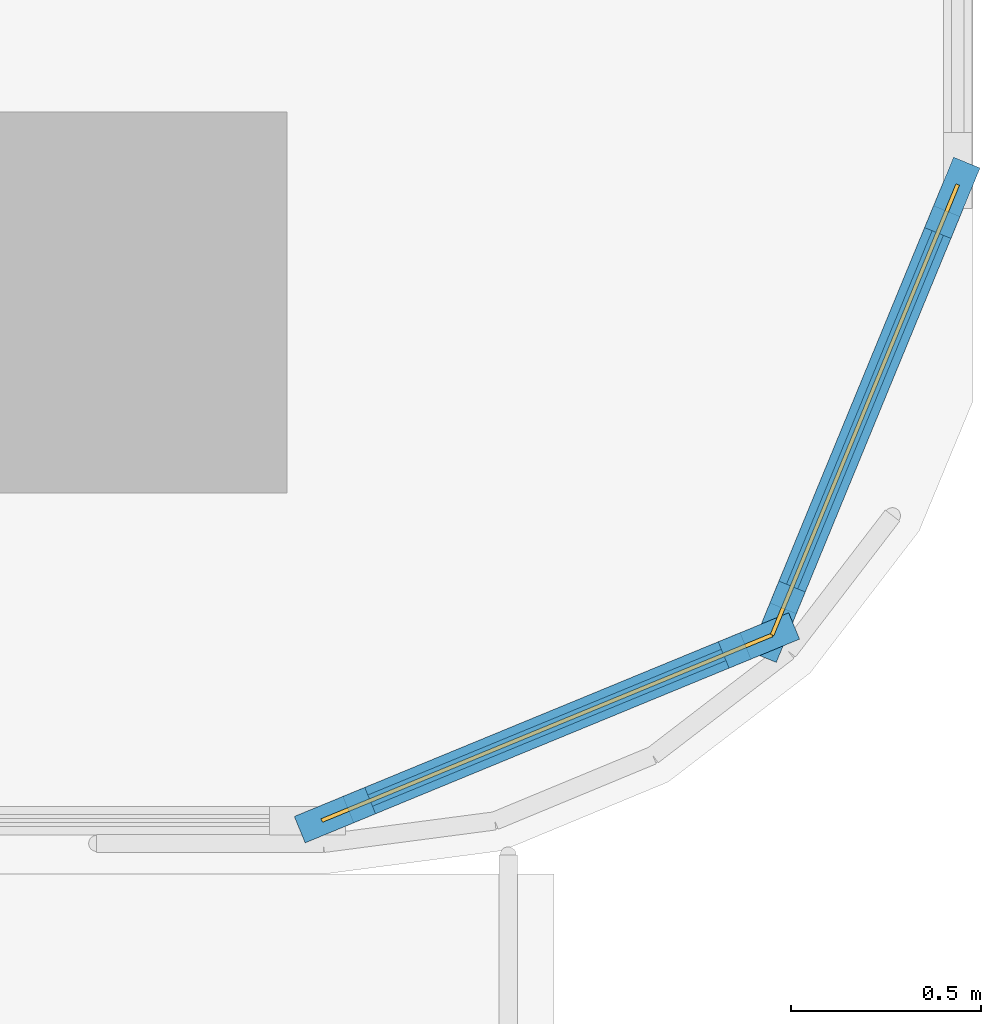
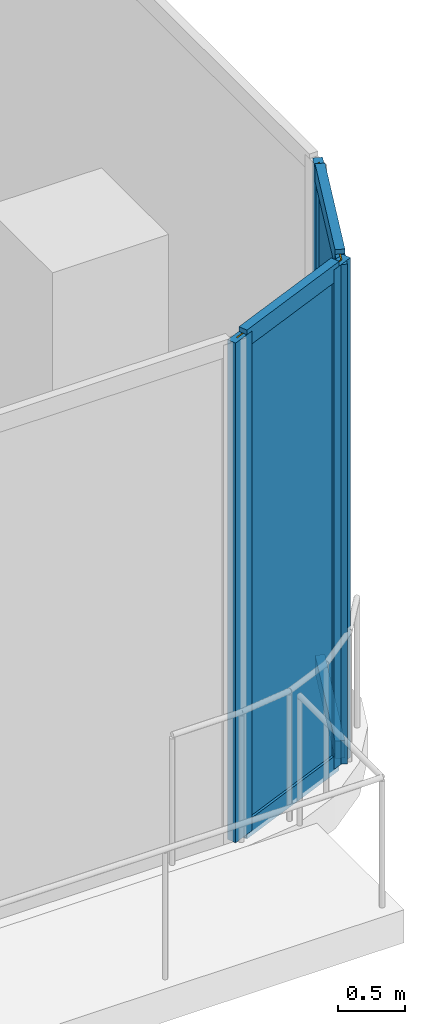
# One storey, part 21 of 32: 8 members, 2 curtain walls, 2 plates.
"""IFC4 building model written with IfcOpenShell, lengths in metres."""

from ifc_helpers import new_model, si_unit, direction, frame, frame_2d, origin, origin_2d, place, context, subcontext, project, spatial, rectangle, extrude, material, layer, layer_set, material_profile, profile_set, type_object, element, aggregate, save


model = new_model("IFC4")

# Units and contexts
model_context = context("Model", 3, precision=1e-05, world=origin(), true_north=direction((0.0, 1.0)))
body_context = subcontext(model_context, "Body", "Model", "MODEL_VIEW")
ifc_project = project(units=[si_unit("LENGTHUNIT", "METRE"), si_unit("AREAUNIT", "SQUARE_METRE"), si_unit("VOLUMEUNIT", "CUBIC_METRE"), si_unit("PLANEANGLEUNIT", "RADIAN"), si_unit("MASSUNIT", "GRAM", prefix="KILO")], contexts=[model_context])

# Member
ifc_material_1 = material(Name="Anodised Bronze Aluminium 6063-T6", Category="aluminium")
ifc_material_profile_1 = material_profile(ifc_material_1, rectangle(XDim=0.074951171875, YDim=0.199951171875, at=origin_2d()))
ifc_profile_set_1 = profile_set([ifc_material_profile_1], Name="Anodised Bronze Aluminium 6063-T6")
member_type_1 = type_object("IfcMemberType", Name="CW-POD Mullion 75x200", PredefinedType="MULLION", material=ifc_profile_set_1)
site_placement = place(None, origin())
building_placement = place(site_placement, origin())
storey_placement = place(building_placement, frame((0.0, 0.0, 16.0)))
member_1_placement = place(storey_placement, frame((36.44580078125, -24.525390625, 0.0), z_axis=(0.0, 0.0, 1.0), x_axis=(0.924580877967, -0.380985826636, 0.0)))
member_1 = element("IfcMember", 1, at=member_1_placement, type_object=member_type_1, Name="CW-POD mullion 1", PredefinedType="MULLION", context=body_context, shape_type="SweptSolid", body=[
    extrude(rectangle(XDim=0.074951171875, YDim=0.199951171875, at=origin_2d()), origin(), (0.0, 0.0, 1.0), 4.550048828125),
])

member_2_placement = place(storey_placement, frame((35.9873046875, -25.63818359375, 0.0), z_axis=(0.0, 0.0, 1.0), x_axis=(0.924580877967, -0.380985826636, 0.0)))
member_2 = element("IfcMember", 2, at=member_2_placement, type_object=member_type_1, Name="CW-POD mullion 2", PredefinedType="MULLION", context=body_context, shape_type="SweptSolid", body=[
    extrude(rectangle(XDim=0.074951171875, YDim=0.199951171875, at=origin_2d()), origin(), (0.0, 0.0, 1.0), 4.550048828125),
])

member_3_placement = place(storey_placement, frame((35.938232421875, -25.687255859375, 0.0), z_axis=(0.0, 0.0, 1.0), x_axis=(0.380985826636, -0.924580877967, 0.0)))
member_3 = element("IfcMember", 3, at=member_3_placement, type_object=member_type_1, Name="CW-POD mullion 1", PredefinedType="MULLION", context=body_context, shape_type="SweptSolid", body=[
    extrude(rectangle(XDim=0.074951171875, YDim=0.199951171875, at=origin_2d()), origin(), (0.0, 0.0, 1.0), 4.550048828125),
])

member_4_placement = place(storey_placement, frame((34.825439453125, -26.145751953125, 0.0), z_axis=(0.0, 0.0, 1.0), x_axis=(0.380985826636, -0.924580877967, 0.0)))
member_4 = element("IfcMember", 4, at=member_4_placement, type_object=member_type_1, Name="CW-POD mullion 2", PredefinedType="MULLION", context=body_context, shape_type="SweptSolid", body=[
    extrude(rectangle(XDim=0.074951171875, YDim=0.199951171875, at=origin_2d()), origin(), (0.0, 0.0, 1.0), 4.550048828125),
])

ifc_material_2 = material(Name="Anodised Bronze Aluminium 6063-T6", Category="aluminium")
ifc_material_profile_2 = material_profile(ifc_material_2, rectangle(XDim=0.074951171875, YDim=0.159912109375, at=origin_2d()))
ifc_profile_set_2 = profile_set([ifc_material_profile_2], Name="Anodised Bronze Aluminium 6063-T6")
member_type_2 = type_object("IfcMemberType", Name="CW-POD Transom 75x160", PredefinedType="USERDEFINED", material=ifc_profile_set_2)
member_5_placement = place(storey_placement, frame((36.431396484375, -24.56005859375, 0.03759765625), z_axis=(-0.380956524967, -0.924592951566, 0.0), x_axis=(0.924592951566, -0.380956524967, 0.0)))
member_5 = element("IfcMember", 5, at=member_5_placement, type_object=member_type_2, Name="CW-POD transom 1.1", ObjectType="TRANSOM", PredefinedType="USERDEFINED", context=body_context, shape_type="SweptSolid", body=[
    extrude(rectangle(XDim=0.074951171875, YDim=0.159912109375, at=origin_2d()), origin(), (0.0, 0.0, 1.0), 1.128662109375),
])

member_6_placement = place(storey_placement, frame((36.431396484375, -24.56005859375, 4.512451171875), z_axis=(-0.380956524967, -0.924592951566, 0.0), x_axis=(0.924592951566, -0.380956524967, 0.0)))
member_6 = element("IfcMember", 6, at=member_6_placement, type_object=member_type_2, Name="CW-POD transom 1.2", ObjectType="TRANSOM", PredefinedType="USERDEFINED", context=body_context, shape_type="SweptSolid", body=[
    extrude(rectangle(XDim=0.074951171875, YDim=0.159912109375, at=origin_2d()), origin(), (0.0, 0.0, 1.0), 1.128662109375),
])

member_7_placement = place(storey_placement, frame((35.903564453125, -25.701416015625, 0.03759765625), z_axis=(-0.924592951566, -0.380956524967, 0.0), x_axis=(0.380956524967, -0.924592951566, 0.0)))
member_7 = element("IfcMember", 7, at=member_7_placement, type_object=member_type_2, Name="CW-POD transom 1.1", ObjectType="TRANSOM", PredefinedType="USERDEFINED", context=body_context, shape_type="SweptSolid", body=[
    extrude(rectangle(XDim=0.074951171875, YDim=0.159912109375, at=origin_2d()), origin(), (0.0, 0.0, 1.0), 1.128662109375),
])

member_8_placement = place(storey_placement, frame((35.903564453125, -25.701416015625, 4.512451171875), z_axis=(-0.924592951566, -0.380956524967, 0.0), x_axis=(0.380956524967, -0.924592951566, 0.0)))
member_8 = element("IfcMember", 8, at=member_8_placement, type_object=member_type_2, Name="CW-POD transom 1.2", ObjectType="TRANSOM", PredefinedType="USERDEFINED", context=body_context, shape_type="SweptSolid", body=[
    extrude(rectangle(XDim=0.074951171875, YDim=0.159912109375, at=origin_2d()), origin(), (0.0, 0.0, 1.0), 1.128662109375),
])

# Plate
ifc_material_3 = material(Name="Low-E Solar Control Laminated Glass", Category="glass")
ifc_layer_1 = layer(ifc_material_3, 0.031982421875, Name="Low-E Solar Control Laminated Glass")
ifc_layer_set_1 = layer_set([ifc_layer_1], Name="Low-E Solar Control Laminated Glass")
plate_type = type_object("IfcPlateType", Name="CW-POD Low-E Double Glazed Panel 32mm", PredefinedType="CURTAIN_PANEL", material=ifc_layer_set_1)
plate_1_placement = place(storey_placement, frame((36.216552734375, -25.081787109375, 0.074951171875), z_axis=(0.0, 0.0, 1.0), x_axis=(-0.380985826636, -0.924580877967, 0.0)))
plate_1 = element("IfcPlate", 9, at=plate_1_placement, type_object=plate_type, Name="CW-POD panel 1.1", PredefinedType="CURTAIN_PANEL", context=body_context, shape_type="SweptSolid", body=[
    extrude(rectangle(XDim=1.12841796875, YDim=0.031982421875, at=origin_2d()), origin(), (0.0, 0.0, 1.0), 4.39990234375),
])

plate_2_placement = place(storey_placement, frame((35.3818359375, -25.91650390625, 0.074951171875), z_axis=(0.0, 0.0, 1.0), x_axis=(-0.924580877967, -0.380985826636, 0.0)))
plate_2 = element("IfcPlate", 10, at=plate_2_placement, type_object=plate_type, Name="CW-POD panel 1.1", PredefinedType="CURTAIN_PANEL", context=body_context, shape_type="SweptSolid", body=[
    extrude(rectangle(XDim=1.12841796875, YDim=0.031982421875, at=origin_2d()), origin(), (0.0, 0.0, 1.0), 4.39990234375),
])

# Site, building, storey
site = spatial("IfcSite", under=ifc_project, at=site_placement, CompositionType="ELEMENT")
building = spatial("IfcBuilding", under=site, at=building_placement, Name="Khairoan Windgate Tower", CompositionType="ELEMENT")
storey = spatial("IfcBuildingStorey", under=building, at=storey_placement, Name="L04", CompositionType="ELEMENT", Elevation=16.0)

# Curtain wall
ifc_material_4 = material(Name="Anodised Bronze Aluminium 6063-T6", Category="aluminium")
ifc_layer_2 = layer(ifc_material_4, 0.199951171875, Name="Anodised Bronze Aluminium 6063-T6")
ifc_layer_set_2 = layer_set([ifc_layer_2], Name="Anodised Bronze Aluminium 6063-T6")
curtain_wall_type = type_object("IfcCurtainWallType", Name="Podium Arch Galleria Curtain Wall CW-POD", PredefinedType="NOTDEFINED", material=ifc_layer_set_2)
curtain_wall_1_placement = place(storey_placement, frame((36.4599609375, -24.49072265625, 0.0), z_axis=(0.0, 0.0, 1.0), x_axis=(-0.380951483373, -0.924595028818, 0.0)))
curtain_wall_1 = element("IfcCurtainWall", 11, at=curtain_wall_1_placement, inside=storey, type_object=curtain_wall_type, Name="L04 Stepped Podium Curtain Wall 2.7", PredefinedType="NOTDEFINED", context=body_context, shape_type="SweptSolid", body=[
    extrude(rectangle(XDim=1.278564453125, YDim=0.010009765625, at=frame_2d((0.63916015625, 0.0))), origin(), (0.0, 0.0, 1.0), 4.550048828125),
])

aggregate(curtain_wall_1, [member_1, member_2, member_5, member_6, plate_1])

curtain_wall_2_placement = place(storey_placement, frame((35.972900390625, -25.6728515625, 0.0), z_axis=(0.0, 0.0, 1.0), x_axis=(-0.924595028818, -0.380951483373, 0.0)))
curtain_wall_2 = element("IfcCurtainWall", 12, at=curtain_wall_2_placement, inside=storey, type_object=curtain_wall_type, Name="L04 Stepped Podium Curtain Wall 2.8", PredefinedType="NOTDEFINED", context=body_context, shape_type="SweptSolid", body=[
    extrude(rectangle(XDim=1.278564453125, YDim=0.010009765625, at=frame_2d((0.63916015625, 0.0))), origin(), (0.0, 0.0, 1.0), 4.550048828125),
])

aggregate(curtain_wall_2, [member_3, member_4, member_7, member_8, plate_2])

save(model, "model.ifc")
